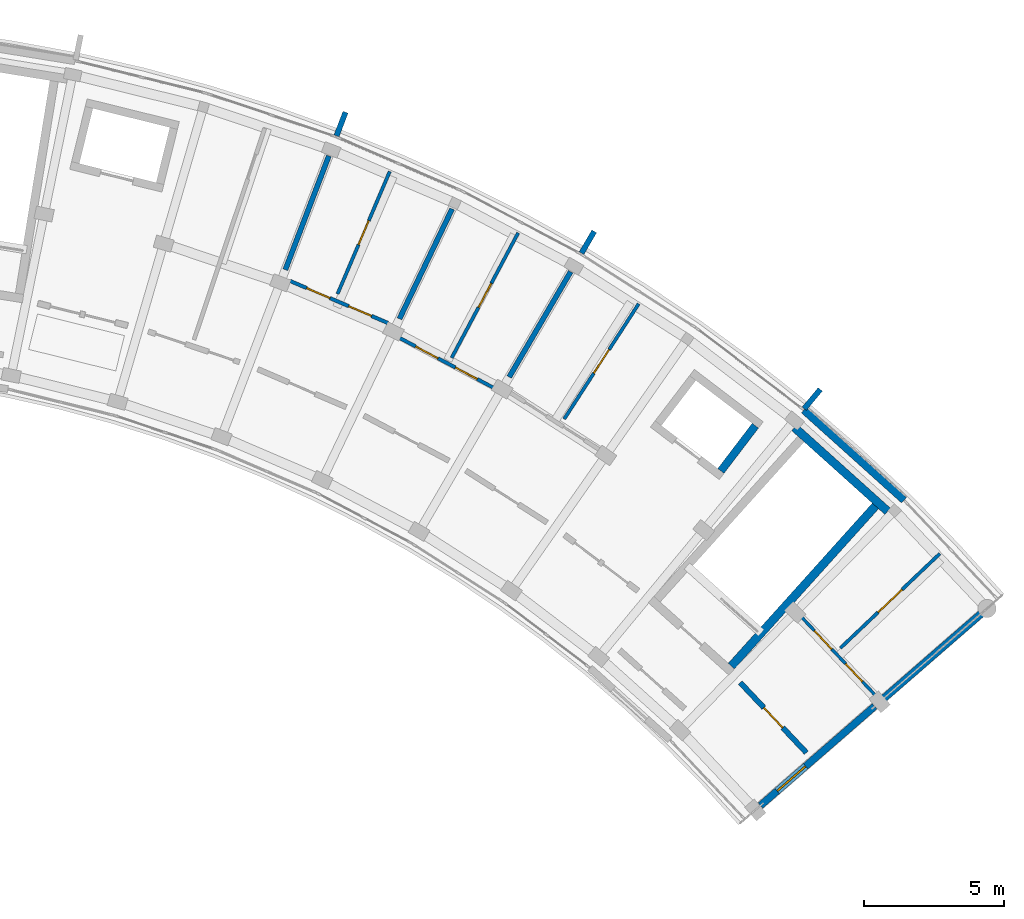
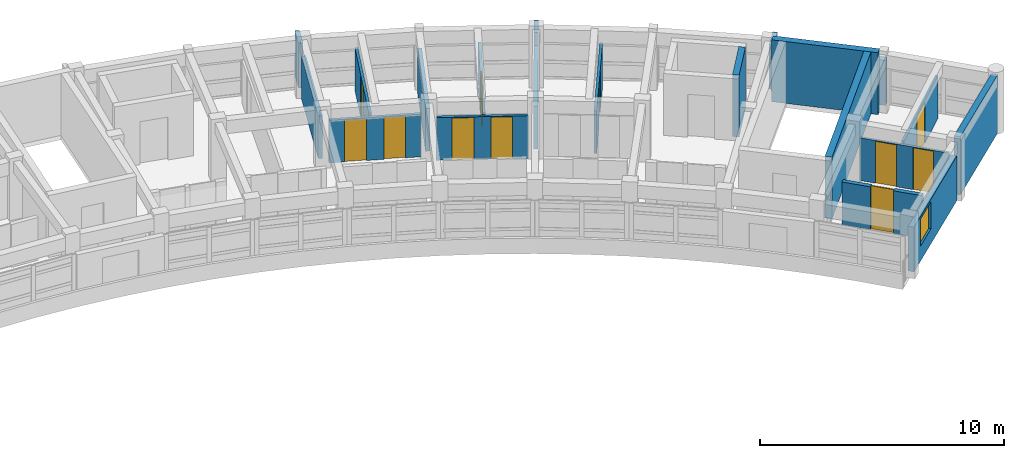
# One storey, part 18 of 23: 20 walls, 11 doors, 1 window, 12 openings.
"""IFC4 building model written with IfcOpenShell, lengths in metres."""

from ifc_helpers import new_model, si_unit, direction, frame, frame_2d, origin, place, context, subcontext, project, spatial, rectangle, extrude, material, layer, layer_set, type_object, element, fill, save


model = new_model("IFC4")

# Units and contexts
model_context = context("Model", 3, precision=1e-05, world=origin(), true_north=direction((0.0, 1.0)))
body_context = subcontext(model_context, "Body", "Model", "MODEL_VIEW")
ifc_project = project(units=[si_unit("LENGTHUNIT", "METRE"), si_unit("AREAUNIT", "SQUARE_METRE"), si_unit("VOLUMEUNIT", "CUBIC_METRE"), si_unit("PLANEANGLEUNIT", "RADIAN"), si_unit("MASSUNIT", "GRAM", prefix="KILO")], contexts=[model_context])

# Site, building, storey
site_placement = place(None, origin())
site = spatial("IfcSite", under=ifc_project, at=site_placement, CompositionType="ELEMENT")
building_placement = place(site_placement, origin())
building = spatial("IfcBuilding", under=site, at=building_placement, Name="Zimvara Arc Housing Community", CompositionType="ELEMENT")
storey_placement = place(building_placement, frame((0.0, 0.0, 36.0)))
storey = spatial("IfcBuildingStorey", under=building, at=storey_placement, Name="L11", CompositionType="ELEMENT", Elevation=36.0)

# Wall, opening, window
ifc_material_1 = material(Name="Board-Marked Fair-Faced Concrete C35/45", Category="concrete")
ifc_layer_1 = layer(ifc_material_1, 0.2548828125)
ifc_layer_set_1 = layer_set([ifc_layer_1], Name="Board-Marked Fair-Faced Concrete C35/45")
wall_type_1 = type_object("IfcWallType", Name="EWL-CONC-255", PredefinedType="SOLIDWALL", material=ifc_layer_set_1)
wall_1_placement = place(storey_placement, frame((81.346923828125, 76.095703125, 0.0), z_axis=(0.0, 0.0, 1.0), x_axis=(0.754709658894, 0.65605893849, 0.0)))
wall_1 = element("IfcWall", 1, at=wall_1_placement, inside=storey, type_object=wall_type_1, Name="ewall:blkB:L11:gN", PredefinedType="SOLIDWALL", context=body_context, shape_type="SweptSolid", body=[
    extrude(rectangle(XDim=5.39990234375, YDim=0.2548828125, at=frame_2d((2.699951171875, 0.0))), origin(), (0.0, 0.0, 1.0), 2.239990234375),
])
opening_1_placement = place(wall_1_placement, frame((0.7900390625, 0.0, 0.75)))
opening_1 = element("IfcOpeningElement", 2, at=opening_1_placement, cuts=wall_1, Name="Opening W12", PredefinedType="OPENING", context=body_context, shape_type="SweptSolid", body=[
    extrude(rectangle(XDim=1.35009765625, YDim=1.35009765625, at=frame_2d((0.675048828125, 0.675048828125))), frame((0.0, 0.137451171875, 0.0), z_axis=(0.0, -1.0, 0.0), x_axis=(1.0, 0.0, 0.0)), (0.0, 0.0, 1.0), 0.27490234375),
])
ifc_material_2 = material(Name="Solar Control Low-E Double Glazing", Category="glass")
window_type = type_object("IfcWindowType", Name="WIN-RES-1350x1350", PartitioningType="DOUBLE_PANEL_VERTICAL", PredefinedType="WINDOW", material=ifc_material_2)
window_placement = place(opening_1_placement, origin())
window = element("IfcWindow", 3, at=window_placement, inside=storey, type_object=window_type, Name="win:blkB:L11:gN:w", OverallHeight=1.35009765625, OverallWidth=1.35009765625, PartitioningType="DOUBLE_PANEL_VERTICAL", PredefinedType="WINDOW", context=body_context, shape_type="SweptSolid", body=[
    extrude(rectangle(XDim=1.35009765625, YDim=1.35009765625, at=frame_2d((0.675048828125, 0.675048828125))), frame((0.0, 0.030029296875, 0.0), z_axis=(0.0, -1.0, 0.0), x_axis=(1.0, 0.0, 0.0)), (0.0, 0.0, 1.0), 0.06005859375),
])
fill(opening_1, window)

# Walls
ifc_material_3 = material(Name="Board-Marked Fair-Faced Concrete C35/45", Category="concrete")
ifc_layer_2 = layer(ifc_material_3, 0.264892578125)
ifc_layer_set_2 = layer_set([ifc_layer_2], Name="Board-Marked Fair-Faced Concrete C35/45")
wall_type_2 = type_object("IfcWallType", Name="EWL-CONC-265", PredefinedType="SOLIDWALL", material=ifc_layer_set_2)
wall_2_placement = place(storey_placement, frame((82.89697265625, 90.21337890625, 0.0), z_axis=(0.0, 0.0, 1.0), x_axis=(0.743387539862, -0.668860946369, 0.0)))
element("IfcWall", 4, at=wall_2_placement, inside=storey, type_object=wall_type_2, Name="ewall:blkB:L11:out:b8", PredefinedType="SOLIDWALL", context=body_context, shape_type="SweptSolid", body=[
    extrude(rectangle(XDim=4.80908203125, YDim=0.264892578125, at=frame_2d((2.404541015625, 0.0))), origin(), (0.0, 0.0, 1.0), 2.25),
])
ifc_material_4 = material(Name="Board-Marked Fair-Faced Concrete C35/45", Category="concrete")
ifc_layer_3 = layer(ifc_material_4, 0.195068359375)
ifc_layer_set_3 = layer_set([ifc_layer_3], Name="Board-Marked Fair-Faced Concrete C35/45")
wall_type_3 = type_object("IfcWallType", Name="EWL-PARA-195", PredefinedType="PARAPET", material=ifc_layer_set_3)
wall_3_placement = place(storey_placement, frame((66.216796875, 100.0029296875, 0.0), z_axis=(0.0, 0.0, 1.0), x_axis=(0.356942580168, 0.934126326823, 0.0)))
element("IfcWall", 5, at=wall_3_placement, inside=storey, type_object=wall_type_3, Name="finwall:blkB:L11:out:b4", PredefinedType="PARAPET", context=body_context, shape_type="SweptSolid", body=[
    extrude(rectangle(XDim=0.900146484375, YDim=0.195068359375, at=frame_2d((0.4501953125, 0.0))), origin(), (0.0, 0.0, 1.0), 2.25),
])
wall_4_placement = place(storey_placement, frame((74.961181640625, 95.8134765625, 0.0), z_axis=(0.0, 0.0, 1.0), x_axis=(0.504326383773, 0.863513114336, 0.0)))
element("IfcWall", 6, at=wall_4_placement, inside=storey, type_object=wall_type_3, Name="finwall:blkB:L11:out:b6", PredefinedType="PARAPET", context=body_context, shape_type="SweptSolid", body=[
    extrude(rectangle(XDim=0.89990234375, YDim=0.195068359375, at=frame_2d((0.449951171875, 0.0))), origin(), (0.0, 0.0, 1.0), 2.25),
])
wall_5_placement = place(storey_placement, frame((82.90771484375, 90.25732421875, 0.0), z_axis=(0.0, 0.0, 1.0), x_axis=(0.637967316825, 0.770063440674, 0.0)))
element("IfcWall", 7, at=wall_5_placement, inside=storey, type_object=wall_type_3, Name="finwall:blkB:L11:out:b8", PredefinedType="PARAPET", context=body_context, shape_type="SweptSolid", body=[
    extrude(rectangle(XDim=0.900146484375, YDim=0.195068359375, at=frame_2d((0.4501953125, 0.0))), origin(), (0.0, 0.0, 1.0), 2.25),
])

# Wall, opening, door
ifc_material_5 = material(Name="Concrete C35/45", Category="concrete")
ifc_layer_4 = layer(ifc_material_5, 0.18994140625)
ifc_layer_set_4 = layer_set([ifc_layer_4], Name="Concrete C35/45")
wall_type_4 = type_object("IfcWallType", Name="IWL-CORR-190", PredefinedType="SOLIDWALL", material=ifc_layer_set_4)
wall_6_placement = place(storey_placement, frame((80.627685546875, 80.48291015625, 0.0), z_axis=(0.0, 0.0, 1.0), x_axis=(0.686310507227, -0.727308660522, 0.0)))
wall_6 = element("IfcWall", 8, at=wall_6_placement, inside=storey, type_object=wall_type_4, Name="iwall:blkB:L11:corr_out:b9", PredefinedType="SOLIDWALL", context=body_context, shape_type="SweptSolid", body=[
    extrude(rectangle(XDim=3.43603515625, YDim=0.18994140625, at=frame_2d((1.718017578125, 0.0))), origin(), (0.0, 0.0, 1.0), 2.139892578125),
])
opening_2_placement = place(wall_6_placement, frame((1.22802734375, 0.0, 0.0)))
opening_2 = element("IfcOpeningElement", 9, at=opening_2_placement, cuts=wall_6, Name="Opening FD-FL1", PredefinedType="OPENING", context=body_context, shape_type="SweptSolid", body=[
    extrude(rectangle(XDim=0.97998046875, YDim=2.14990234375, at=frame_2d((0.489990234375, 1.074951171875))), frame((0.0, 0.10498046875, 0.0), z_axis=(0.0, -1.0, 0.0), x_axis=(1.0, 0.0, 0.0)), (0.0, 0.0, 1.0), 0.2099609375),
])
ifc_material_6 = material(Name="Mozambican Hardwood", Category="wood")
door_type_1 = type_object("IfcDoorType", Name="IDR-FLAT-0980x2150", OperationType="NOTDEFINED", PredefinedType="DOOR", material=ifc_material_6)
door_1_placement = place(opening_2_placement, origin())
door_1 = element("IfcDoor", 10, at=door_1_placement, inside=storey, type_object=door_type_1, Name="idoor:blkB:L11:flat:b9", OperationType="SINGLE_SWING_LEFT", OverallHeight=2.14990234375, OverallWidth=0.97998046875, PredefinedType="DOOR", context=body_context, shape_type="SweptSolid", body=[
    extrude(rectangle(XDim=0.97998046875, YDim=2.14990234375, at=frame_2d((0.489990234375, 1.074951171875))), frame((0.0, 0.02490234375, 0.0), z_axis=(0.0, -1.0, 0.0), x_axis=(1.0, 0.0, 0.0)), (0.0, 0.0, 1.0), 0.050048828125),
])
fill(opening_2, door_1)

# Walls
ifc_material_7 = material(Name="Concrete C35/45", Category="concrete")
ifc_layer_5 = layer(ifc_material_7, 0.18505859375)
ifc_layer_set_5 = layer_set([ifc_layer_5], Name="Concrete C35/45")
wall_type_5 = type_object("IfcWallType", Name="IWL-FLAT-185", PredefinedType="SOLIDWALL", material=ifc_layer_set_5)
for number, where, z_axis, x_axis, name in (
    (11, (64.388671875, 95.220458984375, 0.0), (0.0, 0.0, 1.0), (0.357064016205, 0.934079915388, 0.0), "iwall:blkB:L11:party:b4"),
    (12, (68.462158203125, 93.469482421875, 0.0), (0.0, 0.0, 1.0), (0.432086898897, 0.901831975371, 0.0), "iwall:blkB:L11:party:b5"),
    (13, (72.37939453125, 91.391845703125, 0.0), (0.0, 0.0, 1.0), (0.504216452091, 0.863577309475, 0.0), "iwall:blkB:L11:party:b6"),
):
    element("IfcWall", number, at=place(storey_placement, frame(where, z_axis=z_axis, x_axis=x_axis)), inside=storey, type_object=wall_type_5, Name=name, PredefinedType="SOLIDWALL", context=body_context, shape_type="SweptSolid", body=[
        extrude(rectangle(XDim=4.35009765625, YDim=0.18505859375, at=frame_2d((2.175048828125, 0.0))), origin(), (0.0, 0.0, 1.0), 2.139892578125),
    ])

# Wall, openings, doors
ifc_material_8 = material(Name="Painted Acoustic Plasterboard")
ifc_layer_6 = layer(ifc_material_8, 0.110107421875)
ifc_layer_set_6 = layer_set([ifc_layer_6], Name="Painted Acoustic Plasterboard")
wall_type_6 = type_object("IfcWallType", Name="IWL-PART-110", PredefinedType="PARTITIONING", material=ifc_layer_set_6)
wall_7_placement = place(storey_placement, frame((82.8291015625, 82.808837890625, 0.0), z_axis=(0.0, 0.0, 1.0), x_axis=(0.686300649561, -0.727317962388, 0.0)))
wall_7 = element("IfcWall", 14, at=wall_7_placement, inside=storey, type_object=wall_type_6, Name="iwall:blkB:L11:srv:b9", PredefinedType="PARTITIONING", context=body_context, shape_type="SweptSolid", body=[
    extrude(rectangle(XDim=3.79736328125, YDim=0.110107421875, at=frame_2d((1.898681640625, 0.0))), origin(), (0.0, 0.0, 1.0), 2.139892578125),
])
opening_3_placement = place(wall_7_placement, frame((0.64990234375, 0.0, 0.0)))
opening_3 = element("IfcOpeningElement", 15, at=opening_3_placement, cuts=wall_7, Name="Opening D01", PredefinedType="OPENING", context=body_context, shape_type="SweptSolid", body=[
    extrude(rectangle(XDim=0.89990234375, YDim=2.10009765625, at=frame_2d((0.449951171875, 1.050048828125))), frame((0.0, 0.06494140625, 0.0), z_axis=(0.0, -1.0, 0.0), x_axis=(1.0, 0.0, 0.0)), (0.0, 0.0, 1.0), 0.130126953125),
])
opening_4_placement = place(wall_7_placement, frame((2.267333984375, 0.0, 0.0)))
opening_4 = element("IfcOpeningElement", 16, at=opening_4_placement, cuts=wall_7, Name="Opening D05", PredefinedType="OPENING", context=body_context, shape_type="SweptSolid", body=[
    extrude(rectangle(XDim=0.8798828125, YDim=2.10009765625, at=frame_2d((0.43994140625, 1.050048828125))), frame((0.0, 0.06494140625, 0.0), z_axis=(0.0, -1.0, 0.0), x_axis=(1.0, 0.0, 0.0)), (0.0, 0.0, 1.0), 0.130126953125),
])
ifc_material_9 = material(Name="Mozambican Hardwood", Category="wood")
door_type_2 = type_object("IfcDoorType", Name="IDR-RM-0900x2100", OperationType="NOTDEFINED", PredefinedType="DOOR", material=ifc_material_9)
door_2_placement = place(opening_3_placement, origin())
door_2 = element("IfcDoor", 17, at=door_2_placement, inside=storey, type_object=door_type_2, Name="idoor:blkB:L11:kit_liv:b9", OperationType="SINGLE_SWING_RIGHT", OverallHeight=2.10009765625, OverallWidth=0.89990234375, PredefinedType="DOOR", context=body_context, shape_type="SweptSolid", body=[
    extrude(rectangle(XDim=0.89990234375, YDim=2.10009765625, at=frame_2d((0.449951171875, 1.050048828125))), frame((0.0, 0.02490234375, 0.0), z_axis=(0.0, -1.0, 0.0), x_axis=(1.0, 0.0, 0.0)), (0.0, 0.0, 1.0), 0.050048828125),
])
fill(opening_3, door_2)
ifc_material_10 = material(Name="Mozambican Hardwood", Category="wood")
door_type_3 = type_object("IfcDoorType", Name="IDR-WC-0880x2100", OperationType="NOTDEFINED", PredefinedType="DOOR", material=ifc_material_10)
door_3_placement = place(opening_4_placement, origin())
door_3 = element("IfcDoor", 18, at=door_3_placement, inside=storey, type_object=door_type_3, Name="idoor:blkB:L11:bath_d:b9", OperationType="SINGLE_SWING_LEFT", OverallHeight=2.10009765625, OverallWidth=0.8798828125, PredefinedType="DOOR", context=body_context, shape_type="SweptSolid", body=[
    extrude(rectangle(XDim=0.8798828125, YDim=2.10009765625, at=frame_2d((0.43994140625, 1.050048828125))), frame((0.0, 0.02490234375, 0.0), z_axis=(0.0, -1.0, 0.0), x_axis=(1.0, 0.0, 0.0)), (0.0, 0.0, 1.0), 0.050048828125),
])
fill(opening_4, door_3)

# Wall, opening, door
ifc_material_11 = material(Name="Painted Acoustic Plasterboard")
ifc_layer_7 = layer(ifc_material_11, 0.1201171875)
ifc_layer_set_7 = layer_set([ifc_layer_7], Name="Painted Acoustic Plasterboard")
wall_type_7 = type_object("IfcWallType", Name="IWL-PART-120", PredefinedType="PARTITIONING", material=ifc_layer_set_7)
wall_8_placement = place(storey_placement, frame((66.25341796875, 94.359130859375, 0.0), z_axis=(0.0, 0.0, 1.0), x_axis=(0.392156908456, 0.919898341748, 0.0)))
wall_8 = element("IfcWall", 19, at=wall_8_placement, inside=storey, type_object=wall_type_7, Name="iwall:blkB:L11:bed_div:b4", PredefinedType="PARTITIONING", context=body_context, shape_type="SweptSolid", body=[
    extrude(rectangle(XDim=4.75, YDim=0.1201171875, at=frame_2d((2.375, 0.0))), origin(), (0.0, 0.0, 1.0), 2.139892578125),
])
opening_5_placement = place(wall_8_placement, frame((1.909912109375, 0.0, 0.0)))
opening_5 = element("IfcOpeningElement", 20, at=opening_5_placement, cuts=wall_8, Name="Opening D13", PredefinedType="OPENING", context=body_context, shape_type="SweptSolid", body=[
    extrude(rectangle(XDim=0.929931640625, YDim=2.10009765625, at=frame_2d((0.46484375, 1.050048828125))), frame((0.0, 0.070068359375, 0.0), z_axis=(0.0, -1.0, 0.0), x_axis=(1.0, 0.0, 0.0)), (0.0, 0.0, 1.0), 0.14013671875),
])
ifc_material_12 = material(Name="Mozambican Hardwood", Category="wood")
door_type_4 = type_object("IfcDoorType", Name="IDR-MOD-930x2180", OperationType="NOTDEFINED", PredefinedType="DOOR", material=ifc_material_12)
door_4_placement = place(opening_5_placement, origin())
door_4 = element("IfcDoor", 21, at=door_4_placement, inside=storey, type_object=door_type_4, Name="idoor:blkB:L11:bed_d:b4", OperationType="SINGLE_SWING_LEFT", OverallHeight=2.10009765625, OverallWidth=0.929931640625, PredefinedType="DOOR", context=body_context, shape_type="SweptSolid", body=[
    extrude(rectangle(XDim=0.929931640625, YDim=2.10009765625, at=frame_2d((0.46484375, 1.050048828125))), frame((0.0, 0.02490234375, 0.0), z_axis=(0.0, -1.0, 0.0), x_axis=(1.0, 0.0, 0.0)), (0.0, 0.0, 1.0), 0.050048828125),
])
fill(opening_5, door_4)

wall_9_placement = place(storey_placement, frame((70.326416015625, 92.0791015625, 0.0), z_axis=(0.0, 0.0, 1.0), x_axis=(0.469847866249, 0.882747405876, 0.0)))
wall_9 = element("IfcWall", 22, at=wall_9_placement, inside=storey, type_object=wall_type_7, Name="iwall:blkB:L11:bed_div:b5", PredefinedType="PARTITIONING", context=body_context, shape_type="SweptSolid", body=[
    extrude(rectangle(XDim=5.050048828125, YDim=0.1201171875, at=frame_2d((2.52490234375, 0.0))), origin(), (0.0, 0.0, 1.0), 2.139892578125),
])
opening_6_placement = place(wall_9_placement, frame((2.0400390625, 0.0, 0.0)))
opening_6 = element("IfcOpeningElement", 23, at=opening_6_placement, cuts=wall_9, Name="Opening D14", PredefinedType="OPENING", context=body_context, shape_type="SweptSolid", body=[
    extrude(rectangle(XDim=0.969970703125, YDim=2.10009765625, at=frame_2d((0.48486328125, 1.050048828125))), frame((0.0, 0.070068359375, 0.0), z_axis=(0.0, -1.0, 0.0), x_axis=(1.0, 0.0, 0.0)), (0.0, 0.0, 1.0), 0.14013671875),
])
ifc_material_13 = material(Name="Mozambican Hardwood", Category="wood")
door_type_5 = type_object("IfcDoorType", Name="IDR-MOD-970x2080", OperationType="NOTDEFINED", PredefinedType="DOOR", material=ifc_material_13)
door_5_placement = place(opening_6_placement, origin())
door_5 = element("IfcDoor", 24, at=door_5_placement, inside=storey, type_object=door_type_5, Name="idoor:blkB:L11:bed_d:b5", OperationType="SINGLE_SWING_LEFT", OverallHeight=2.10009765625, OverallWidth=0.969970703125, PredefinedType="DOOR", context=body_context, shape_type="SweptSolid", body=[
    extrude(rectangle(XDim=0.969970703125, YDim=2.10009765625, at=frame_2d((0.48486328125, 1.050048828125))), frame((0.0, 0.02490234375, 0.0), z_axis=(0.0, -1.0, 0.0), x_axis=(1.0, 0.0, 0.0)), (0.0, 0.0, 1.0), 0.050048828125),
])
fill(opening_6, door_5)

wall_10_placement = place(storey_placement, frame((74.342041015625, 89.89208984375, 0.0), z_axis=(0.0, 0.0, 1.0), x_axis=(0.542871109654, 0.839816026462, 0.0)))
wall_10 = element("IfcWall", 25, at=wall_10_placement, inside=storey, type_object=wall_type_7, Name="iwall:blkB:L11:bed_div:b6", PredefinedType="PARTITIONING", context=body_context, shape_type="SweptSolid", body=[
    extrude(rectangle(XDim=4.900146484375, YDim=0.1201171875, at=frame_2d((2.4501953125, 0.0))), origin(), (0.0, 0.0, 1.0), 2.139892578125),
])
opening_7_placement = place(wall_10_placement, frame((1.945068359375, 0.0, 0.0)))
opening_7 = element("IfcOpeningElement", 26, at=opening_7_placement, cuts=wall_10, Name="Opening D15", PredefinedType="OPENING", context=body_context, shape_type="SweptSolid", body=[
    extrude(rectangle(XDim=1.010009765625, YDim=2.10009765625, at=frame_2d((0.5048828125, 1.050048828125))), frame((0.0, 0.070068359375, 0.0), z_axis=(0.0, -1.0, 0.0), x_axis=(1.0, 0.0, 0.0)), (0.0, 0.0, 1.0), 0.14013671875),
])
ifc_material_14 = material(Name="Mozambican Hardwood", Category="wood")
door_type_6 = type_object("IfcDoorType", Name="IDR-MOD-1010x2160", OperationType="NOTDEFINED", PredefinedType="DOOR", material=ifc_material_14)
door_6_placement = place(opening_7_placement, origin())
door_6 = element("IfcDoor", 27, at=door_6_placement, inside=storey, type_object=door_type_6, Name="idoor:blkB:L11:bed_d:b6", OperationType="SINGLE_SWING_LEFT", OverallHeight=2.10009765625, OverallWidth=1.010009765625, PredefinedType="DOOR", context=body_context, shape_type="SweptSolid", body=[
    extrude(rectangle(XDim=1.010009765625, YDim=2.10009765625, at=frame_2d((0.5048828125, 1.050048828125))), frame((0.0, 0.02490234375, 0.0), z_axis=(0.0, -1.0, 0.0), x_axis=(1.0, 0.0, 0.0)), (0.0, 0.0, 1.0), 0.050048828125),
])
fill(opening_7, door_6)

wall_11_placement = place(storey_placement, frame((84.1982421875, 81.71435546875, 0.0), z_axis=(0.0, 0.0, 1.0), x_axis=(0.725204659953, 0.688533369694, 0.0)))
wall_11 = element("IfcWall", 28, at=wall_11_placement, inside=storey, type_object=wall_type_7, Name="iwall:blkB:L11:bed_div:b9", PredefinedType="PARTITIONING", context=body_context, shape_type="SweptSolid", body=[
    extrude(rectangle(XDim=4.89990234375, YDim=0.1201171875, at=frame_2d((2.449951171875, 0.0))), origin(), (0.0, 0.0, 1.0), 2.139892578125),
])
opening_8_placement = place(wall_11_placement, frame((1.860107421875, 0.0, 0.0)))
opening_8 = element("IfcOpeningElement", 29, at=opening_8_placement, cuts=wall_11, Name="Opening D18", PredefinedType="OPENING", context=body_context, shape_type="SweptSolid", body=[
    extrude(rectangle(XDim=1.179931640625, YDim=2.10009765625, at=frame_2d((0.58984375, 1.050048828125))), frame((0.0, 0.070068359375, 0.0), z_axis=(0.0, -1.0, 0.0), x_axis=(1.0, 0.0, 0.0)), (0.0, 0.0, 1.0), 0.14013671875),
])
ifc_material_15 = material(Name="Mozambican Hardwood", Category="wood")
door_type_7 = type_object("IfcDoorType", Name="IDR-MOD-1180x2120", OperationType="NOTDEFINED", PredefinedType="DOOR", material=ifc_material_15)
door_7_placement = place(opening_8_placement, origin())
door_7 = element("IfcDoor", 30, at=door_7_placement, inside=storey, type_object=door_type_7, Name="idoor:blkB:L11:bed_d:b9", OperationType="SINGLE_SWING_RIGHT", OverallHeight=2.10009765625, OverallWidth=1.179931640625, PredefinedType="DOOR", context=body_context, shape_type="SweptSolid", body=[
    extrude(rectangle(XDim=1.179931640625, YDim=2.10009765625, at=frame_2d((0.58984375, 1.050048828125))), frame((0.0, 0.02490234375, 0.0), z_axis=(0.0, -1.0, 0.0), x_axis=(1.0, 0.0, 0.0)), (0.0, 0.0, 1.0), 0.050048828125),
])
fill(opening_8, door_7)

# Wall, openings, doors
ifc_material_16 = material(Name="Painted Acoustic Plasterboard")
ifc_layer_8 = layer(ifc_material_16, 0.125)
ifc_layer_set_8 = layer_set([ifc_layer_8], Name="Painted Acoustic Plasterboard")
wall_type_8 = type_object("IfcWallType", Name="IWL-PART-125", PredefinedType="PARTITIONING", material=ifc_layer_set_8)
wall_12_placement = place(storey_placement, frame((68.468017578125, 92.787841796875, 0.0), z_axis=(0.0, 0.0, 1.0), x_axis=(0.883450371448, -0.468524749814, 0.0)))
wall_12 = element("IfcWall", 31, at=wall_12_placement, inside=storey, type_object=wall_type_8, Name="iwall:blkB:L11:srv:b5", PredefinedType="PARTITIONING", context=body_context, shape_type="SweptSolid", body=[
    extrude(rectangle(XDim=3.78515625, YDim=0.125, at=frame_2d((1.892578125, 0.0))), origin(), (0.0, 0.0, 1.0), 2.139892578125),
])
opening_9_placement = place(wall_12_placement, frame((0.64990234375, 0.0, 0.0)))
opening_9 = element("IfcOpeningElement", 32, at=opening_9_placement, cuts=wall_12, Name="Opening D01", PredefinedType="OPENING", context=body_context, shape_type="SweptSolid", body=[
    extrude(rectangle(XDim=0.89990234375, YDim=2.10009765625, at=frame_2d((0.449951171875, 1.050048828125))), frame((0.0, 0.072509765625, 0.0), z_axis=(0.0, -1.0, 0.0), x_axis=(1.0, 0.0, 0.0)), (0.0, 0.0, 1.0), 0.14501953125),
])
opening_10_placement = place(wall_12_placement, frame((2.255126953125, 0.0, 0.0)))
opening_10 = element("IfcOpeningElement", 33, at=opening_10_placement, cuts=wall_12, Name="Opening D05", PredefinedType="OPENING", context=body_context, shape_type="SweptSolid", body=[
    extrude(rectangle(XDim=0.8798828125, YDim=2.10009765625, at=frame_2d((0.43994140625, 1.050048828125))), frame((0.0, 0.072509765625, 0.0), z_axis=(0.0, -1.0, 0.0), x_axis=(1.0, 0.0, 0.0)), (0.0, 0.0, 1.0), 0.14501953125),
])
door_8_placement = place(opening_9_placement, origin())
door_8 = element("IfcDoor", 34, at=door_8_placement, inside=storey, type_object=door_type_2, Name="idoor:blkB:L11:kit_liv:b5", OperationType="SINGLE_SWING_LEFT", OverallHeight=2.10009765625, OverallWidth=0.89990234375, PredefinedType="DOOR", context=body_context, shape_type="SweptSolid", body=[
    extrude(rectangle(XDim=0.89990234375, YDim=2.10009765625, at=frame_2d((0.449951171875, 1.050048828125))), frame((0.0, 0.02490234375, 0.0), z_axis=(0.0, -1.0, 0.0), x_axis=(1.0, 0.0, 0.0)), (0.0, 0.0, 1.0), 0.050048828125),
])
fill(opening_9, door_8)
door_9_placement = place(opening_10_placement, origin())
door_9 = element("IfcDoor", 35, at=door_9_placement, inside=storey, type_object=door_type_3, Name="idoor:blkB:L11:bath_d:b5", OperationType="SINGLE_SWING_RIGHT", OverallHeight=2.10009765625, OverallWidth=0.8798828125, PredefinedType="DOOR", context=body_context, shape_type="SweptSolid", body=[
    extrude(rectangle(XDim=0.8798828125, YDim=2.10009765625, at=frame_2d((0.43994140625, 1.050048828125))), frame((0.0, 0.02490234375, 0.0), z_axis=(0.0, -1.0, 0.0), x_axis=(1.0, 0.0, 0.0)), (0.0, 0.0, 1.0), 0.050048828125),
])
fill(opening_10, door_9)

ifc_material_17 = material(Name="Painted Acoustic Plasterboard")
ifc_layer_9 = layer(ifc_material_17, 0.1298828125)
ifc_layer_set_9 = layer_set([ifc_layer_9], Name="Painted Acoustic Plasterboard")
wall_type_9 = type_object("IfcWallType", Name="IWL-PART-130", PredefinedType="PARTITIONING", material=ifc_layer_set_9)
wall_13_placement = place(storey_placement, frame((64.55712890625, 94.82177734375, 0.0), z_axis=(0.0, 0.0, 1.0), x_axis=(0.918726854017, -0.394893615684, 0.0)))
wall_13 = element("IfcWall", 36, at=wall_13_placement, inside=storey, type_object=wall_type_9, Name="iwall:blkB:L11:srv:b4", PredefinedType="PARTITIONING", context=body_context, shape_type="SweptSolid", body=[
    extrude(rectangle(XDim=3.8095703125, YDim=0.1298828125, at=frame_2d((1.90478515625, 0.0))), origin(), (0.0, 0.0, 1.0), 2.139892578125),
])
opening_11_placement = place(wall_13_placement, frame((0.64990234375, 0.0, 0.0)))
opening_11 = element("IfcOpeningElement", 37, at=opening_11_placement, cuts=wall_13, Name="Opening D01", PredefinedType="OPENING", context=body_context, shape_type="SweptSolid", body=[
    extrude(rectangle(XDim=0.89990234375, YDim=2.10009765625, at=frame_2d((0.449951171875, 1.050048828125))), frame((0.0, 0.074951171875, 0.0), z_axis=(0.0, -1.0, 0.0), x_axis=(1.0, 0.0, 0.0)), (0.0, 0.0, 1.0), 0.14990234375),
])
opening_12_placement = place(wall_13_placement, frame((2.279541015625, 0.0, 0.0)))
opening_12 = element("IfcOpeningElement", 38, at=opening_12_placement, cuts=wall_13, Name="Opening D05", PredefinedType="OPENING", context=body_context, shape_type="SweptSolid", body=[
    extrude(rectangle(XDim=0.8798828125, YDim=2.10009765625, at=frame_2d((0.43994140625, 1.050048828125))), frame((0.0, 0.074951171875, 0.0), z_axis=(0.0, -1.0, 0.0), x_axis=(1.0, 0.0, 0.0)), (0.0, 0.0, 1.0), 0.14990234375),
])
door_10_placement = place(opening_11_placement, origin())
door_10 = element("IfcDoor", 39, at=door_10_placement, inside=storey, type_object=door_type_2, Name="idoor:blkB:L11:kit_liv:b4", OperationType="SINGLE_SWING_LEFT", OverallHeight=2.10009765625, OverallWidth=0.89990234375, PredefinedType="DOOR", context=body_context, shape_type="SweptSolid", body=[
    extrude(rectangle(XDim=0.89990234375, YDim=2.10009765625, at=frame_2d((0.449951171875, 1.050048828125))), frame((0.0, 0.02490234375, 0.0), z_axis=(0.0, -1.0, 0.0), x_axis=(1.0, 0.0, 0.0)), (0.0, 0.0, 1.0), 0.050048828125),
])
fill(opening_11, door_10)
door_11_placement = place(opening_12_placement, origin())
door_11 = element("IfcDoor", 40, at=door_11_placement, inside=storey, type_object=door_type_3, Name="idoor:blkB:L11:bath_d:b4", OperationType="SINGLE_SWING_RIGHT", OverallHeight=2.10009765625, OverallWidth=0.8798828125, PredefinedType="DOOR", context=body_context, shape_type="SweptSolid", body=[
    extrude(rectangle(XDim=0.8798828125, YDim=2.10009765625, at=frame_2d((0.43994140625, 1.050048828125))), frame((0.0, 0.02490234375, 0.0), z_axis=(0.0, -1.0, 0.0), x_axis=(1.0, 0.0, 0.0)), (0.0, 0.0, 1.0), 0.050048828125),
])
fill(opening_12, door_11)

# Walls
ifc_material_18 = material(Name="Concrete C40/50", Category="concrete")
ifc_layer_10 = layer(ifc_material_18, 0.280029296875)
ifc_layer_set_10 = layer_set([ifc_layer_10], Name="Concrete C40/50")
wall_type_10 = type_object("IfcWallType", Name="WL-CORE-280", PredefinedType="SHEAR", material=ifc_layer_set_10)
wall_14_placement = place(storey_placement, frame((79.934814453125, 88.0400390625, 0.0), z_axis=(0.0, 0.0, 1.0), x_axis=(0.606025097418, 0.795445523779, 0.0)))
element("IfcWall", 41, at=wall_14_placement, inside=storey, type_object=wall_type_10, Name="lwall:LP-B2:L11:left", PredefinedType="SHEAR", context=body_context, shape_type="SweptSolid", body=[
    extrude(rectangle(XDim=2.030029296875, YDim=0.280029296875, at=frame_2d((1.01513671875, 0.0))), origin(), (0.0, 0.0, 1.0), 3.10009765625),
])
ifc_material_19 = material(Name="Concrete C40/50", Category="concrete")
ifc_layer_11 = layer(ifc_material_19, 0.300048828125)
ifc_layer_set_11 = layer_set([ifc_layer_11], Name="Concrete C40/50")
wall_type_11 = type_object("IfcWallType", Name="WL-CORE-300", PredefinedType="SHEAR", material=ifc_layer_set_11)
wall_15_placement = place(storey_placement, frame((85.887451171875, 86.6005859375, 0.0), z_axis=(0.0, 0.0, 1.0), x_axis=(-0.743400052815, 0.668847038922, 0.0)))
element("IfcWall", 42, at=wall_15_placement, inside=storey, type_object=wall_type_11, Name="cwall:ST-B2:L11:far", PredefinedType="SHEAR", context=body_context, shape_type="SweptSolid", body=[
    extrude(rectangle(XDim=4.469970703125, YDim=0.300048828125, at=frame_2d((2.23486328125, 0.0))), origin(), (0.0, 0.0, 1.0), 3.10009765625),
])
wall_16_placement = place(storey_placement, frame((80.308837890625, 81.073486328125, 0.0), z_axis=(0.0, 0.0, 1.0), x_axis=(0.668885797871, 0.743365179038, 0.0)))
element("IfcWall", 43, at=wall_16_placement, inside=storey, type_object=wall_type_11, Name="cwall:ST-B2:L11:left", PredefinedType="SHEAR", context=body_context, shape_type="SweptSolid", body=[
    extrude(rectangle(XDim=7.690185546875, YDim=0.300048828125, at=frame_2d((3.84521484375, 0.0))), origin(), (0.0, 0.0, 1.0), 3.10009765625),
])
ifc_material_20 = material(Name="Concrete C40/50", Category="concrete")
ifc_layer_12 = layer(ifc_material_20, 0.27001953125)
ifc_layer_set_12 = layer_set([ifc_layer_12], Name="Concrete C40/50")
wall_type_12 = type_object("IfcWallType", Name="WL-SHEAR-270", PredefinedType="SHEAR", material=ifc_layer_set_12)
wall_17_placement = place(storey_placement, frame((85.7392578125, 79.9140625, 0.0), z_axis=(0.0, 0.0, 1.0), x_axis=(0.754703505217, 0.65606601742, 0.0)))
element("IfcWall", 44, at=wall_17_placement, inside=storey, type_object=wall_type_12, Name="swall:blkB:L11:east", PredefinedType="SHEAR", context=body_context, shape_type="SweptSolid", body=[
    extrude(rectangle(XDim=4.719970703125, YDim=0.27001953125, at=frame_2d((2.35986328125, 0.0))), origin(), (0.0, 0.0, 1.0), 2.919921875),
])

save(model, "model.ifc")
